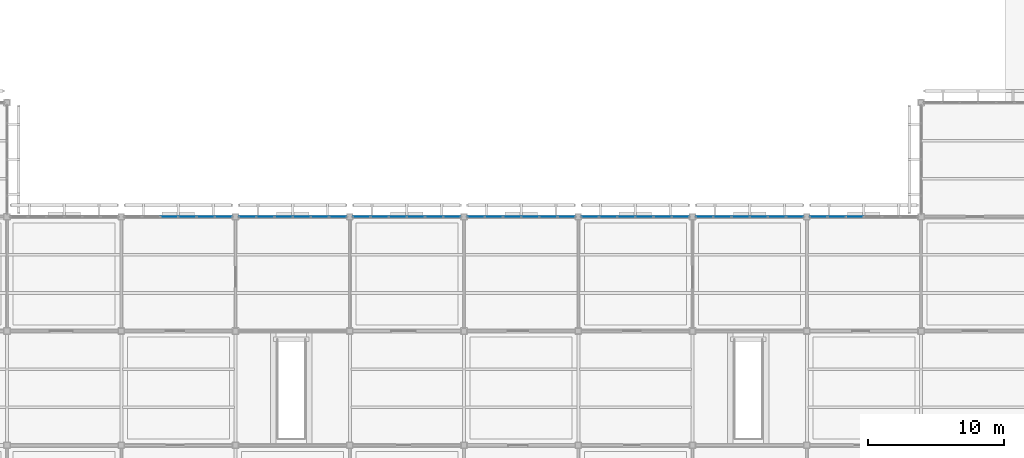
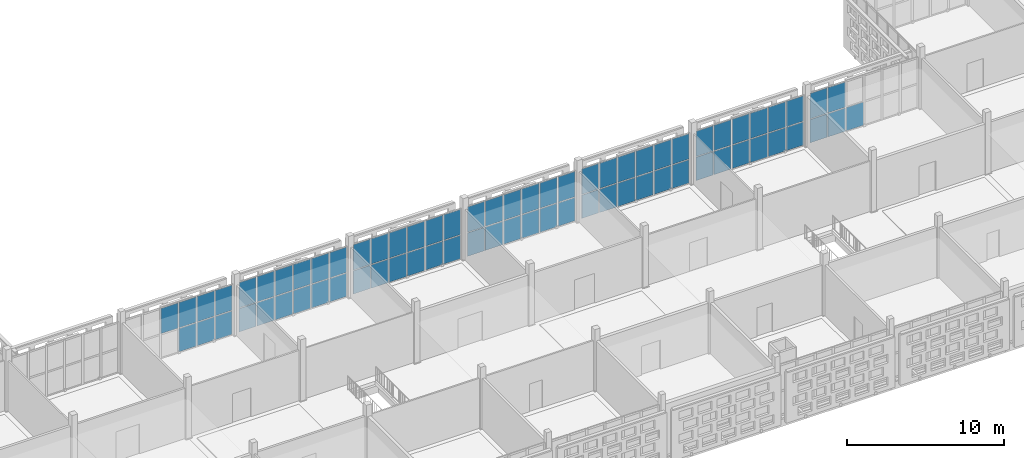
# One storey, part 92 of 203: 72 plates, 7 elements without a shape of their own.
"""IFC4 building model written with IfcOpenShell, lengths in metres."""

from ifc_helpers import new_model, si_unit, direction, frame, origin, origin_2d, place, context, subcontext, project, spatial, rectangle, extrude, material, layer, layer_set, type_object, element, aggregate, save


model = new_model("IFC4")

# Units and contexts
model_context = context("Model", 3, precision=1e-05, world=origin(), true_north=direction((0.0, 1.0)))
body_context = subcontext(model_context, "Body", "Model", "MODEL_VIEW")
ifc_project = project(units=[si_unit("LENGTHUNIT", "METRE"), si_unit("AREAUNIT", "SQUARE_METRE"), si_unit("VOLUMEUNIT", "CUBIC_METRE"), si_unit("PLANEANGLEUNIT", "RADIAN"), si_unit("MASSUNIT", "GRAM", prefix="KILO")], contexts=[model_context])

# Site, building, storey
site_placement = place(None, origin())
site = spatial("IfcSite", under=ifc_project, at=site_placement, CompositionType="ELEMENT")
building_placement = place(site_placement, origin())
building = spatial("IfcBuilding", under=site, at=building_placement, Name="Varnapada Polytechnic", CompositionType="ELEMENT")
storey_placement = place(building_placement, frame((0.0, 0.0, 4.800048828125)))
storey = spatial("IfcBuildingStorey", under=building, at=storey_placement, Name="L01", CompositionType="ELEMENT", Elevation=4.800048828125)

# Curtain wall, plates
ifc_material = material(Name="Double low-E laminated glass", Category="glass")
ifc_layer_1 = layer(ifc_material, 0.159912109375)
ifc_layer_set_1 = layer_set([ifc_layer_1], Name="Double low-E laminated glass")
curtain_wall_type = type_object("IfcCurtainWallType", Name="Curtain Wall CW-01", PredefinedType="NOTDEFINED", material=ifc_layer_set_1)
curtain_wall_1_placement = place(storey_placement, origin())
curtain_wall_1 = element("IfcCurtainWall", 1, at=curtain_wall_1_placement, inside=storey, type_object=curtain_wall_type, Name="L01 unitised curtain wall CW-01 (61)", PredefinedType="NOTDEFINED")
ifc_layer_2 = layer(ifc_material, 0.028076171875)
ifc_layer_set_2 = layer_set([ifc_layer_2], Name="Double low-E laminated glass")
plate_type = type_object("IfcPlateType", Name="Curtain Panel PNL-01", PredefinedType="CURTAIN_PANEL", material=ifc_layer_set_2)
plate_1_placement = place(storey_placement, frame((70.7275390625, 42.0, 1.9306640625), z_axis=(0.0, 0.0, 1.0), x_axis=(1.0, 0.0, 0.0)))
plate_1 = element("IfcPlate", 2, at=plate_1_placement, type_object=plate_type, Name="CW-01 panel 3.2", PredefinedType="CURTAIN_PANEL", context=body_context, shape_type="SweptSolid", body=[
    extrude(rectangle(XDim=1.27490234375, YDim=0.028076171875, at=origin_2d()), origin(), (0.0, 0.0, 1.0), 1.96923828125),
])
plate_2_placement = place(storey_placement, frame((72.0625, 42.0, 0.06005859375), z_axis=(0.0, 0.0, 1.0), x_axis=(1.0, 0.0, 0.0)))
plate_2 = element("IfcPlate", 3, at=plate_2_placement, type_object=plate_type, Name="CW-01 panel 4.1", PredefinedType="CURTAIN_PANEL", context=body_context, shape_type="SweptSolid", body=[
    extrude(rectangle(XDim=1.27490234375, YDim=0.028076171875, at=origin_2d()), origin(), (0.0, 0.0, 1.0), 1.810791015625),
])
plate_3_placement = place(storey_placement, frame((72.0625, 42.0, 1.9306640625), z_axis=(0.0, 0.0, 1.0), x_axis=(1.0, 0.0, 0.0)))
plate_3 = element("IfcPlate", 4, at=plate_3_placement, type_object=plate_type, Name="CW-01 panel 4.2", PredefinedType="CURTAIN_PANEL", context=body_context, shape_type="SweptSolid", body=[
    extrude(rectangle(XDim=1.27490234375, YDim=0.028076171875, at=origin_2d()), origin(), (0.0, 0.0, 1.0), 1.96923828125),
])
plate_4_placement = place(storey_placement, frame((73.3974609375, 42.0, 0.06005859375), z_axis=(0.0, 0.0, 1.0), x_axis=(1.0, 0.0, 0.0)))
plate_4 = element("IfcPlate", 5, at=plate_4_placement, type_object=plate_type, Name="CW-01 panel 5.1", PredefinedType="CURTAIN_PANEL", context=body_context, shape_type="SweptSolid", body=[
    extrude(rectangle(XDim=1.27490234375, YDim=0.028076171875, at=origin_2d()), origin(), (0.0, 0.0, 1.0), 1.810791015625),
])
plate_5_placement = place(storey_placement, frame((73.3974609375, 42.0, 1.9306640625), z_axis=(0.0, 0.0, 1.0), x_axis=(1.0, 0.0, 0.0)))
plate_5 = element("IfcPlate", 6, at=plate_5_placement, type_object=plate_type, Name="CW-01 panel 5.2", PredefinedType="CURTAIN_PANEL", context=body_context, shape_type="SweptSolid", body=[
    extrude(rectangle(XDim=1.27490234375, YDim=0.028076171875, at=origin_2d()), origin(), (0.0, 0.0, 1.0), 1.96923828125),
])
plate_6_placement = place(storey_placement, frame((74.717529296875, 42.0, 0.06005859375), z_axis=(0.0, 0.0, 1.0), x_axis=(1.0, 0.0, 0.0)))
plate_6 = element("IfcPlate", 7, at=plate_6_placement, type_object=plate_type, Name="CW-01 panel 6.1", PredefinedType="CURTAIN_PANEL", context=body_context, shape_type="SweptSolid", body=[
    extrude(rectangle(XDim=1.2451171875, YDim=0.028076171875, at=origin_2d()), origin(), (0.0, 0.0, 1.0), 1.810791015625),
])
plate_7_placement = place(storey_placement, frame((74.717529296875, 42.0, 1.9306640625), z_axis=(0.0, 0.0, 1.0), x_axis=(1.0, 0.0, 0.0)))
plate_7 = element("IfcPlate", 8, at=plate_7_placement, type_object=plate_type, Name="CW-01 panel 6.2", PredefinedType="CURTAIN_PANEL", context=body_context, shape_type="SweptSolid", body=[
    extrude(rectangle(XDim=1.2451171875, YDim=0.028076171875, at=origin_2d()), origin(), (0.0, 0.0, 1.0), 1.96923828125),
])
aggregate(curtain_wall_1, [plate_1, plate_2, plate_3, plate_4, plate_5, plate_6, plate_7])

curtain_wall_2_placement = place(storey_placement, origin())
curtain_wall_2 = element("IfcCurtainWall", 9, at=curtain_wall_2_placement, inside=storey, type_object=curtain_wall_type, Name="L01 unitised curtain wall CW-01 (65)", PredefinedType="NOTDEFINED")
plate_8_placement = place(storey_placement, frame((76.482421875, 42.0, 0.06005859375), z_axis=(0.0, 0.0, 1.0), x_axis=(1.0, 0.0, 0.0)))
plate_8 = element("IfcPlate", 10, at=plate_8_placement, type_object=plate_type, Name="CW-01 panel 1.1", PredefinedType="CURTAIN_PANEL", context=body_context, shape_type="SweptSolid", body=[
    extrude(rectangle(XDim=1.2451171875, YDim=0.028076171875, at=origin_2d()), origin(), (0.0, 0.0, 1.0), 1.810791015625),
])
plate_9_placement = place(storey_placement, frame((76.482421875, 42.0, 1.9306640625), z_axis=(0.0, 0.0, 1.0), x_axis=(1.0, 0.0, 0.0)))
plate_9 = element("IfcPlate", 11, at=plate_9_placement, type_object=plate_type, Name="CW-01 panel 1.2", PredefinedType="CURTAIN_PANEL", context=body_context, shape_type="SweptSolid", body=[
    extrude(rectangle(XDim=1.2451171875, YDim=0.028076171875, at=origin_2d()), origin(), (0.0, 0.0, 1.0), 1.96923828125),
])
plate_10_placement = place(storey_placement, frame((77.802490234375, 42.0, 0.06005859375), z_axis=(0.0, 0.0, 1.0), x_axis=(1.0, 0.0, 0.0)))
plate_10 = element("IfcPlate", 12, at=plate_10_placement, type_object=plate_type, Name="CW-01 panel 2.1", PredefinedType="CURTAIN_PANEL", context=body_context, shape_type="SweptSolid", body=[
    extrude(rectangle(XDim=1.27490234375, YDim=0.028076171875, at=origin_2d()), origin(), (0.0, 0.0, 1.0), 1.810791015625),
])
plate_11_placement = place(storey_placement, frame((77.802490234375, 42.0, 1.9306640625), z_axis=(0.0, 0.0, 1.0), x_axis=(1.0, 0.0, 0.0)))
plate_11 = element("IfcPlate", 13, at=plate_11_placement, type_object=plate_type, Name="CW-01 panel 2.2", PredefinedType="CURTAIN_PANEL", context=body_context, shape_type="SweptSolid", body=[
    extrude(rectangle(XDim=1.27490234375, YDim=0.028076171875, at=origin_2d()), origin(), (0.0, 0.0, 1.0), 1.96923828125),
])
plate_12_placement = place(storey_placement, frame((79.137451171875, 42.0, 0.06005859375), z_axis=(0.0, 0.0, 1.0), x_axis=(1.0, 0.0, 0.0)))
plate_12 = element("IfcPlate", 14, at=plate_12_placement, type_object=plate_type, Name="CW-01 panel 3.1", PredefinedType="CURTAIN_PANEL", context=body_context, shape_type="SweptSolid", body=[
    extrude(rectangle(XDim=1.27490234375, YDim=0.028076171875, at=origin_2d()), origin(), (0.0, 0.0, 1.0), 1.810791015625),
])
plate_13_placement = place(storey_placement, frame((79.137451171875, 42.0, 1.9306640625), z_axis=(0.0, 0.0, 1.0), x_axis=(1.0, 0.0, 0.0)))
plate_13 = element("IfcPlate", 15, at=plate_13_placement, type_object=plate_type, Name="CW-01 panel 3.2", PredefinedType="CURTAIN_PANEL", context=body_context, shape_type="SweptSolid", body=[
    extrude(rectangle(XDim=1.27490234375, YDim=0.028076171875, at=origin_2d()), origin(), (0.0, 0.0, 1.0), 1.96923828125),
])
plate_14_placement = place(storey_placement, frame((80.472412109375, 42.0, 0.06005859375), z_axis=(0.0, 0.0, 1.0), x_axis=(1.0, 0.0, 0.0)))
plate_14 = element("IfcPlate", 16, at=plate_14_placement, type_object=plate_type, Name="CW-01 panel 4.1", PredefinedType="CURTAIN_PANEL", context=body_context, shape_type="SweptSolid", body=[
    extrude(rectangle(XDim=1.27490234375, YDim=0.028076171875, at=origin_2d()), origin(), (0.0, 0.0, 1.0), 1.810791015625),
])
plate_15_placement = place(storey_placement, frame((80.472412109375, 42.0, 1.9306640625), z_axis=(0.0, 0.0, 1.0), x_axis=(1.0, 0.0, 0.0)))
plate_15 = element("IfcPlate", 17, at=plate_15_placement, type_object=plate_type, Name="CW-01 panel 4.2", PredefinedType="CURTAIN_PANEL", context=body_context, shape_type="SweptSolid", body=[
    extrude(rectangle(XDim=1.27490234375, YDim=0.028076171875, at=origin_2d()), origin(), (0.0, 0.0, 1.0), 1.96923828125),
])
plate_16_placement = place(storey_placement, frame((81.8076171875, 42.0, 0.06005859375), z_axis=(0.0, 0.0, 1.0), x_axis=(1.0, 0.0, 0.0)))
plate_16 = element("IfcPlate", 18, at=plate_16_placement, type_object=plate_type, Name="CW-01 panel 5.1", PredefinedType="CURTAIN_PANEL", context=body_context, shape_type="SweptSolid", body=[
    extrude(rectangle(XDim=1.27490234375, YDim=0.028076171875, at=origin_2d()), origin(), (0.0, 0.0, 1.0), 1.810791015625),
])
plate_17_placement = place(storey_placement, frame((81.8076171875, 42.0, 1.9306640625), z_axis=(0.0, 0.0, 1.0), x_axis=(1.0, 0.0, 0.0)))
plate_17 = element("IfcPlate", 19, at=plate_17_placement, type_object=plate_type, Name="CW-01 panel 5.2", PredefinedType="CURTAIN_PANEL", context=body_context, shape_type="SweptSolid", body=[
    extrude(rectangle(XDim=1.27490234375, YDim=0.028076171875, at=origin_2d()), origin(), (0.0, 0.0, 1.0), 1.96923828125),
])
plate_18_placement = place(storey_placement, frame((83.12744140625, 42.0, 0.06005859375), z_axis=(0.0, 0.0, 1.0), x_axis=(1.0, 0.0, 0.0)))
plate_18 = element("IfcPlate", 20, at=plate_18_placement, type_object=plate_type, Name="CW-01 panel 6.1", PredefinedType="CURTAIN_PANEL", context=body_context, shape_type="SweptSolid", body=[
    extrude(rectangle(XDim=1.2451171875, YDim=0.028076171875, at=origin_2d()), origin(), (0.0, 0.0, 1.0), 1.810791015625),
])
plate_19_placement = place(storey_placement, frame((83.12744140625, 42.0, 1.9306640625), z_axis=(0.0, 0.0, 1.0), x_axis=(1.0, 0.0, 0.0)))
plate_19 = element("IfcPlate", 21, at=plate_19_placement, type_object=plate_type, Name="CW-01 panel 6.2", PredefinedType="CURTAIN_PANEL", context=body_context, shape_type="SweptSolid", body=[
    extrude(rectangle(XDim=1.2451171875, YDim=0.028076171875, at=origin_2d()), origin(), (0.0, 0.0, 1.0), 1.96923828125),
])
aggregate(curtain_wall_2, [plate_8, plate_9, plate_10, plate_11, plate_12, plate_13, plate_14, plate_15, plate_16, plate_17, plate_18, plate_19])

curtain_wall_3_placement = place(storey_placement, origin())
curtain_wall_3 = element("IfcCurtainWall", 22, at=curtain_wall_3_placement, inside=storey, type_object=curtain_wall_type, Name="L01 unitised curtain wall CW-01 (70)", PredefinedType="NOTDEFINED")
plate_20_placement = place(storey_placement, frame((84.87255859375, 42.0, 0.06005859375), z_axis=(0.0, 0.0, 1.0), x_axis=(1.0, 0.0, 0.0)))
plate_20 = element("IfcPlate", 23, at=plate_20_placement, type_object=plate_type, Name="CW-01 panel 1.1", PredefinedType="CURTAIN_PANEL", context=body_context, shape_type="SweptSolid", body=[
    extrude(rectangle(XDim=1.2451171875, YDim=0.028076171875, at=origin_2d()), origin(), (0.0, 0.0, 1.0), 1.810791015625),
])
plate_21_placement = place(storey_placement, frame((84.87255859375, 42.0, 1.9306640625), z_axis=(0.0, 0.0, 1.0), x_axis=(1.0, 0.0, 0.0)))
plate_21 = element("IfcPlate", 24, at=plate_21_placement, type_object=plate_type, Name="CW-01 panel 1.2", PredefinedType="CURTAIN_PANEL", context=body_context, shape_type="SweptSolid", body=[
    extrude(rectangle(XDim=1.2451171875, YDim=0.028076171875, at=origin_2d()), origin(), (0.0, 0.0, 1.0), 1.96923828125),
])
plate_22_placement = place(storey_placement, frame((86.1923828125, 42.0, 0.06005859375), z_axis=(0.0, 0.0, 1.0), x_axis=(1.0, 0.0, 0.0)))
plate_22 = element("IfcPlate", 25, at=plate_22_placement, type_object=plate_type, Name="CW-01 panel 2.1", PredefinedType="CURTAIN_PANEL", context=body_context, shape_type="SweptSolid", body=[
    extrude(rectangle(XDim=1.27490234375, YDim=0.028076171875, at=origin_2d()), origin(), (0.0, 0.0, 1.0), 1.810791015625),
])
plate_23_placement = place(storey_placement, frame((86.1923828125, 42.0, 1.9306640625), z_axis=(0.0, 0.0, 1.0), x_axis=(1.0, 0.0, 0.0)))
plate_23 = element("IfcPlate", 26, at=plate_23_placement, type_object=plate_type, Name="CW-01 panel 2.2", PredefinedType="CURTAIN_PANEL", context=body_context, shape_type="SweptSolid", body=[
    extrude(rectangle(XDim=1.27490234375, YDim=0.028076171875, at=origin_2d()), origin(), (0.0, 0.0, 1.0), 1.96923828125),
])
plate_24_placement = place(storey_placement, frame((87.527587890625, 42.0, 0.06005859375), z_axis=(0.0, 0.0, 1.0), x_axis=(1.0, 0.0, 0.0)))
plate_24 = element("IfcPlate", 27, at=plate_24_placement, type_object=plate_type, Name="CW-01 panel 3.1", PredefinedType="CURTAIN_PANEL", context=body_context, shape_type="SweptSolid", body=[
    extrude(rectangle(XDim=1.27490234375, YDim=0.028076171875, at=origin_2d()), origin(), (0.0, 0.0, 1.0), 1.810791015625),
])
plate_25_placement = place(storey_placement, frame((87.527587890625, 42.0, 1.9306640625), z_axis=(0.0, 0.0, 1.0), x_axis=(1.0, 0.0, 0.0)))
plate_25 = element("IfcPlate", 28, at=plate_25_placement, type_object=plate_type, Name="CW-01 panel 3.2", PredefinedType="CURTAIN_PANEL", context=body_context, shape_type="SweptSolid", body=[
    extrude(rectangle(XDim=1.27490234375, YDim=0.028076171875, at=origin_2d()), origin(), (0.0, 0.0, 1.0), 1.96923828125),
])
plate_26_placement = place(storey_placement, frame((88.862548828125, 42.0, 0.06005859375), z_axis=(0.0, 0.0, 1.0), x_axis=(1.0, 0.0, 0.0)))
plate_26 = element("IfcPlate", 29, at=plate_26_placement, type_object=plate_type, Name="CW-01 panel 4.1", PredefinedType="CURTAIN_PANEL", context=body_context, shape_type="SweptSolid", body=[
    extrude(rectangle(XDim=1.27490234375, YDim=0.028076171875, at=origin_2d()), origin(), (0.0, 0.0, 1.0), 1.810791015625),
])
plate_27_placement = place(storey_placement, frame((88.862548828125, 42.0, 1.9306640625), z_axis=(0.0, 0.0, 1.0), x_axis=(1.0, 0.0, 0.0)))
plate_27 = element("IfcPlate", 30, at=plate_27_placement, type_object=plate_type, Name="CW-01 panel 4.2", PredefinedType="CURTAIN_PANEL", context=body_context, shape_type="SweptSolid", body=[
    extrude(rectangle(XDim=1.27490234375, YDim=0.028076171875, at=origin_2d()), origin(), (0.0, 0.0, 1.0), 1.96923828125),
])
plate_28_placement = place(storey_placement, frame((90.197509765625, 42.0, 0.06005859375), z_axis=(0.0, 0.0, 1.0), x_axis=(1.0, 0.0, 0.0)))
plate_28 = element("IfcPlate", 31, at=plate_28_placement, type_object=plate_type, Name="CW-01 panel 5.1", PredefinedType="CURTAIN_PANEL", context=body_context, shape_type="SweptSolid", body=[
    extrude(rectangle(XDim=1.27490234375, YDim=0.028076171875, at=origin_2d()), origin(), (0.0, 0.0, 1.0), 1.810791015625),
])
plate_29_placement = place(storey_placement, frame((90.197509765625, 42.0, 1.9306640625), z_axis=(0.0, 0.0, 1.0), x_axis=(1.0, 0.0, 0.0)))
plate_29 = element("IfcPlate", 32, at=plate_29_placement, type_object=plate_type, Name="CW-01 panel 5.2", PredefinedType="CURTAIN_PANEL", context=body_context, shape_type="SweptSolid", body=[
    extrude(rectangle(XDim=1.27490234375, YDim=0.028076171875, at=origin_2d()), origin(), (0.0, 0.0, 1.0), 1.96923828125),
])
plate_30_placement = place(storey_placement, frame((91.517578125, 42.0, 0.06005859375), z_axis=(0.0, 0.0, 1.0), x_axis=(1.0, 0.0, 0.0)))
plate_30 = element("IfcPlate", 33, at=plate_30_placement, type_object=plate_type, Name="CW-01 panel 6.1", PredefinedType="CURTAIN_PANEL", context=body_context, shape_type="SweptSolid", body=[
    extrude(rectangle(XDim=1.2451171875, YDim=0.028076171875, at=origin_2d()), origin(), (0.0, 0.0, 1.0), 1.810791015625),
])
plate_31_placement = place(storey_placement, frame((91.517578125, 42.0, 1.9306640625), z_axis=(0.0, 0.0, 1.0), x_axis=(1.0, 0.0, 0.0)))
plate_31 = element("IfcPlate", 34, at=plate_31_placement, type_object=plate_type, Name="CW-01 panel 6.2", PredefinedType="CURTAIN_PANEL", context=body_context, shape_type="SweptSolid", body=[
    extrude(rectangle(XDim=1.2451171875, YDim=0.028076171875, at=origin_2d()), origin(), (0.0, 0.0, 1.0), 1.96923828125),
])
aggregate(curtain_wall_3, [plate_20, plate_21, plate_22, plate_23, plate_24, plate_25, plate_26, plate_27, plate_28, plate_29, plate_30, plate_31])

curtain_wall_4_placement = place(storey_placement, origin())
curtain_wall_4 = element("IfcCurtainWall", 35, at=curtain_wall_4_placement, inside=storey, type_object=curtain_wall_type, Name="L01 unitised curtain wall CW-01 (75)", PredefinedType="NOTDEFINED")
plate_32_placement = place(storey_placement, frame((93.282470703125, 42.0, 0.06005859375), z_axis=(0.0, 0.0, 1.0), x_axis=(1.0, 0.0, 0.0)))
plate_32 = element("IfcPlate", 36, at=plate_32_placement, type_object=plate_type, Name="CW-01 panel 1.1", PredefinedType="CURTAIN_PANEL", context=body_context, shape_type="SweptSolid", body=[
    extrude(rectangle(XDim=1.2451171875, YDim=0.028076171875, at=origin_2d()), origin(), (0.0, 0.0, 1.0), 1.810791015625),
])
plate_33_placement = place(storey_placement, frame((93.282470703125, 42.0, 1.9306640625), z_axis=(0.0, 0.0, 1.0), x_axis=(1.0, 0.0, 0.0)))
plate_33 = element("IfcPlate", 37, at=plate_33_placement, type_object=plate_type, Name="CW-01 panel 1.2", PredefinedType="CURTAIN_PANEL", context=body_context, shape_type="SweptSolid", body=[
    extrude(rectangle(XDim=1.2451171875, YDim=0.028076171875, at=origin_2d()), origin(), (0.0, 0.0, 1.0), 1.96923828125),
])
plate_34_placement = place(storey_placement, frame((94.6025390625, 42.0, 0.06005859375), z_axis=(0.0, 0.0, 1.0), x_axis=(1.0, 0.0, 0.0)))
plate_34 = element("IfcPlate", 38, at=plate_34_placement, type_object=plate_type, Name="CW-01 panel 2.1", PredefinedType="CURTAIN_PANEL", context=body_context, shape_type="SweptSolid", body=[
    extrude(rectangle(XDim=1.27490234375, YDim=0.028076171875, at=origin_2d()), origin(), (0.0, 0.0, 1.0), 1.810791015625),
])
plate_35_placement = place(storey_placement, frame((94.6025390625, 42.0, 1.9306640625), z_axis=(0.0, 0.0, 1.0), x_axis=(1.0, 0.0, 0.0)))
plate_35 = element("IfcPlate", 39, at=plate_35_placement, type_object=plate_type, Name="CW-01 panel 2.2", PredefinedType="CURTAIN_PANEL", context=body_context, shape_type="SweptSolid", body=[
    extrude(rectangle(XDim=1.27490234375, YDim=0.028076171875, at=origin_2d()), origin(), (0.0, 0.0, 1.0), 1.96923828125),
])
plate_36_placement = place(storey_placement, frame((95.9375, 42.0, 0.06005859375), z_axis=(0.0, 0.0, 1.0), x_axis=(1.0, 0.0, 0.0)))
plate_36 = element("IfcPlate", 40, at=plate_36_placement, type_object=plate_type, Name="CW-01 panel 3.1", PredefinedType="CURTAIN_PANEL", context=body_context, shape_type="SweptSolid", body=[
    extrude(rectangle(XDim=1.27490234375, YDim=0.028076171875, at=origin_2d()), origin(), (0.0, 0.0, 1.0), 1.810791015625),
])
plate_37_placement = place(storey_placement, frame((95.9375, 42.0, 1.9306640625), z_axis=(0.0, 0.0, 1.0), x_axis=(1.0, 0.0, 0.0)))
plate_37 = element("IfcPlate", 41, at=plate_37_placement, type_object=plate_type, Name="CW-01 panel 3.2", PredefinedType="CURTAIN_PANEL", context=body_context, shape_type="SweptSolid", body=[
    extrude(rectangle(XDim=1.27490234375, YDim=0.028076171875, at=origin_2d()), origin(), (0.0, 0.0, 1.0), 1.96923828125),
])
plate_38_placement = place(storey_placement, frame((97.2724609375, 42.0, 0.06005859375), z_axis=(0.0, 0.0, 1.0), x_axis=(1.0, 0.0, 0.0)))
plate_38 = element("IfcPlate", 42, at=plate_38_placement, type_object=plate_type, Name="CW-01 panel 4.1", PredefinedType="CURTAIN_PANEL", context=body_context, shape_type="SweptSolid", body=[
    extrude(rectangle(XDim=1.27490234375, YDim=0.028076171875, at=origin_2d()), origin(), (0.0, 0.0, 1.0), 1.810791015625),
])
plate_39_placement = place(storey_placement, frame((97.2724609375, 42.0, 1.9306640625), z_axis=(0.0, 0.0, 1.0), x_axis=(1.0, 0.0, 0.0)))
plate_39 = element("IfcPlate", 43, at=plate_39_placement, type_object=plate_type, Name="CW-01 panel 4.2", PredefinedType="CURTAIN_PANEL", context=body_context, shape_type="SweptSolid", body=[
    extrude(rectangle(XDim=1.27490234375, YDim=0.028076171875, at=origin_2d()), origin(), (0.0, 0.0, 1.0), 1.96923828125),
])
plate_40_placement = place(storey_placement, frame((98.607421875, 42.0, 0.06005859375), z_axis=(0.0, 0.0, 1.0), x_axis=(1.0, 0.0, 0.0)))
plate_40 = element("IfcPlate", 44, at=plate_40_placement, type_object=plate_type, Name="CW-01 panel 5.1", PredefinedType="CURTAIN_PANEL", context=body_context, shape_type="SweptSolid", body=[
    extrude(rectangle(XDim=1.27490234375, YDim=0.028076171875, at=origin_2d()), origin(), (0.0, 0.0, 1.0), 1.810791015625),
])
plate_41_placement = place(storey_placement, frame((98.607421875, 42.0, 1.9306640625), z_axis=(0.0, 0.0, 1.0), x_axis=(1.0, 0.0, 0.0)))
plate_41 = element("IfcPlate", 45, at=plate_41_placement, type_object=plate_type, Name="CW-01 panel 5.2", PredefinedType="CURTAIN_PANEL", context=body_context, shape_type="SweptSolid", body=[
    extrude(rectangle(XDim=1.27490234375, YDim=0.028076171875, at=origin_2d()), origin(), (0.0, 0.0, 1.0), 1.96923828125),
])
plate_42_placement = place(storey_placement, frame((99.927490234375, 42.0, 0.06005859375), z_axis=(0.0, 0.0, 1.0), x_axis=(1.0, 0.0, 0.0)))
plate_42 = element("IfcPlate", 46, at=plate_42_placement, type_object=plate_type, Name="CW-01 panel 6.1", PredefinedType="CURTAIN_PANEL", context=body_context, shape_type="SweptSolid", body=[
    extrude(rectangle(XDim=1.2451171875, YDim=0.028076171875, at=origin_2d()), origin(), (0.0, 0.0, 1.0), 1.810791015625),
])
plate_43_placement = place(storey_placement, frame((99.927490234375, 42.0, 1.9306640625), z_axis=(0.0, 0.0, 1.0), x_axis=(1.0, 0.0, 0.0)))
plate_43 = element("IfcPlate", 47, at=plate_43_placement, type_object=plate_type, Name="CW-01 panel 6.2", PredefinedType="CURTAIN_PANEL", context=body_context, shape_type="SweptSolid", body=[
    extrude(rectangle(XDim=1.2451171875, YDim=0.028076171875, at=origin_2d()), origin(), (0.0, 0.0, 1.0), 1.96923828125),
])
aggregate(curtain_wall_4, [plate_32, plate_33, plate_34, plate_35, plate_36, plate_37, plate_38, plate_39, plate_40, plate_41, plate_42, plate_43])

curtain_wall_5_placement = place(storey_placement, origin())
curtain_wall_5 = element("IfcCurtainWall", 48, at=curtain_wall_5_placement, inside=storey, type_object=curtain_wall_type, Name="L01 unitised curtain wall CW-01 (79)", PredefinedType="NOTDEFINED")
plate_44_placement = place(storey_placement, frame((101.672607421875, 42.0, 0.06005859375), z_axis=(0.0, 0.0, 1.0), x_axis=(1.0, 0.0, 0.0)))
plate_44 = element("IfcPlate", 49, at=plate_44_placement, type_object=plate_type, Name="CW-01 panel 1.1", PredefinedType="CURTAIN_PANEL", context=body_context, shape_type="SweptSolid", body=[
    extrude(rectangle(XDim=1.2451171875, YDim=0.028076171875, at=origin_2d()), origin(), (0.0, 0.0, 1.0), 1.810791015625),
])
plate_45_placement = place(storey_placement, frame((101.672607421875, 42.0, 1.9306640625), z_axis=(0.0, 0.0, 1.0), x_axis=(1.0, 0.0, 0.0)))
plate_45 = element("IfcPlate", 50, at=plate_45_placement, type_object=plate_type, Name="CW-01 panel 1.2", PredefinedType="CURTAIN_PANEL", context=body_context, shape_type="SweptSolid", body=[
    extrude(rectangle(XDim=1.2451171875, YDim=0.028076171875, at=origin_2d()), origin(), (0.0, 0.0, 1.0), 1.96923828125),
])
plate_46_placement = place(storey_placement, frame((102.992431640625, 42.0, 0.06005859375), z_axis=(0.0, 0.0, 1.0), x_axis=(1.0, 0.0, 0.0)))
plate_46 = element("IfcPlate", 51, at=plate_46_placement, type_object=plate_type, Name="CW-01 panel 2.1", PredefinedType="CURTAIN_PANEL", context=body_context, shape_type="SweptSolid", body=[
    extrude(rectangle(XDim=1.27490234375, YDim=0.028076171875, at=origin_2d()), origin(), (0.0, 0.0, 1.0), 1.810791015625),
])
plate_47_placement = place(storey_placement, frame((102.992431640625, 42.0, 1.9306640625), z_axis=(0.0, 0.0, 1.0), x_axis=(1.0, 0.0, 0.0)))
plate_47 = element("IfcPlate", 52, at=plate_47_placement, type_object=plate_type, Name="CW-01 panel 2.2", PredefinedType="CURTAIN_PANEL", context=body_context, shape_type="SweptSolid", body=[
    extrude(rectangle(XDim=1.27490234375, YDim=0.028076171875, at=origin_2d()), origin(), (0.0, 0.0, 1.0), 1.96923828125),
])
plate_48_placement = place(storey_placement, frame((104.327392578125, 42.0, 0.06005859375), z_axis=(0.0, 0.0, 1.0), x_axis=(1.0, 0.0, 0.0)))
plate_48 = element("IfcPlate", 53, at=plate_48_placement, type_object=plate_type, Name="CW-01 panel 3.1", PredefinedType="CURTAIN_PANEL", context=body_context, shape_type="SweptSolid", body=[
    extrude(rectangle(XDim=1.27490234375, YDim=0.028076171875, at=origin_2d()), origin(), (0.0, 0.0, 1.0), 1.810791015625),
])
plate_49_placement = place(storey_placement, frame((104.327392578125, 42.0, 1.9306640625), z_axis=(0.0, 0.0, 1.0), x_axis=(1.0, 0.0, 0.0)))
plate_49 = element("IfcPlate", 54, at=plate_49_placement, type_object=plate_type, Name="CW-01 panel 3.2", PredefinedType="CURTAIN_PANEL", context=body_context, shape_type="SweptSolid", body=[
    extrude(rectangle(XDim=1.27490234375, YDim=0.028076171875, at=origin_2d()), origin(), (0.0, 0.0, 1.0), 1.96923828125),
])
plate_50_placement = place(storey_placement, frame((105.66259765625, 42.0, 0.06005859375), z_axis=(0.0, 0.0, 1.0), x_axis=(1.0, 0.0, 0.0)))
plate_50 = element("IfcPlate", 55, at=plate_50_placement, type_object=plate_type, Name="CW-01 panel 4.1", PredefinedType="CURTAIN_PANEL", context=body_context, shape_type="SweptSolid", body=[
    extrude(rectangle(XDim=1.27490234375, YDim=0.028076171875, at=origin_2d()), origin(), (0.0, 0.0, 1.0), 1.810791015625),
])
plate_51_placement = place(storey_placement, frame((105.66259765625, 42.0, 1.9306640625), z_axis=(0.0, 0.0, 1.0), x_axis=(1.0, 0.0, 0.0)))
plate_51 = element("IfcPlate", 56, at=plate_51_placement, type_object=plate_type, Name="CW-01 panel 4.2", PredefinedType="CURTAIN_PANEL", context=body_context, shape_type="SweptSolid", body=[
    extrude(rectangle(XDim=1.27490234375, YDim=0.028076171875, at=origin_2d()), origin(), (0.0, 0.0, 1.0), 1.96923828125),
])
plate_52_placement = place(storey_placement, frame((106.99755859375, 42.0, 0.06005859375), z_axis=(0.0, 0.0, 1.0), x_axis=(1.0, 0.0, 0.0)))
plate_52 = element("IfcPlate", 57, at=plate_52_placement, type_object=plate_type, Name="CW-01 panel 5.1", PredefinedType="CURTAIN_PANEL", context=body_context, shape_type="SweptSolid", body=[
    extrude(rectangle(XDim=1.27490234375, YDim=0.028076171875, at=origin_2d()), origin(), (0.0, 0.0, 1.0), 1.810791015625),
])
plate_53_placement = place(storey_placement, frame((106.99755859375, 42.0, 1.9306640625), z_axis=(0.0, 0.0, 1.0), x_axis=(1.0, 0.0, 0.0)))
plate_53 = element("IfcPlate", 58, at=plate_53_placement, type_object=plate_type, Name="CW-01 panel 5.2", PredefinedType="CURTAIN_PANEL", context=body_context, shape_type="SweptSolid", body=[
    extrude(rectangle(XDim=1.27490234375, YDim=0.028076171875, at=origin_2d()), origin(), (0.0, 0.0, 1.0), 1.96923828125),
])
plate_54_placement = place(storey_placement, frame((108.3173828125, 42.0, 0.06005859375), z_axis=(0.0, 0.0, 1.0), x_axis=(1.0, 0.0, 0.0)))
plate_54 = element("IfcPlate", 59, at=plate_54_placement, type_object=plate_type, Name="CW-01 panel 6.1", PredefinedType="CURTAIN_PANEL", context=body_context, shape_type="SweptSolid", body=[
    extrude(rectangle(XDim=1.2451171875, YDim=0.028076171875, at=origin_2d()), origin(), (0.0, 0.0, 1.0), 1.810791015625),
])
plate_55_placement = place(storey_placement, frame((108.3173828125, 42.0, 1.9306640625), z_axis=(0.0, 0.0, 1.0), x_axis=(1.0, 0.0, 0.0)))
plate_55 = element("IfcPlate", 60, at=plate_55_placement, type_object=plate_type, Name="CW-01 panel 6.2", PredefinedType="CURTAIN_PANEL", context=body_context, shape_type="SweptSolid", body=[
    extrude(rectangle(XDim=1.2451171875, YDim=0.028076171875, at=origin_2d()), origin(), (0.0, 0.0, 1.0), 1.96923828125),
])
aggregate(curtain_wall_5, [plate_44, plate_45, plate_46, plate_47, plate_48, plate_49, plate_50, plate_51, plate_52, plate_53, plate_54, plate_55])

curtain_wall_6_placement = place(storey_placement, origin())
curtain_wall_6 = element("IfcCurtainWall", 61, at=curtain_wall_6_placement, inside=storey, type_object=curtain_wall_type, Name="L01 unitised curtain wall CW-01 (84)", PredefinedType="NOTDEFINED")
plate_56_placement = place(storey_placement, frame((110.08251953125, 42.0, 0.06005859375), z_axis=(0.0, 0.0, 1.0), x_axis=(1.0, 0.0, 0.0)))
plate_56 = element("IfcPlate", 62, at=plate_56_placement, type_object=plate_type, Name="CW-01 panel 1.1", PredefinedType="CURTAIN_PANEL", context=body_context, shape_type="SweptSolid", body=[
    extrude(rectangle(XDim=1.2451171875, YDim=0.028076171875, at=origin_2d()), origin(), (0.0, 0.0, 1.0), 1.810791015625),
])
plate_57_placement = place(storey_placement, frame((110.08251953125, 42.0, 1.9306640625), z_axis=(0.0, 0.0, 1.0), x_axis=(1.0, 0.0, 0.0)))
plate_57 = element("IfcPlate", 63, at=plate_57_placement, type_object=plate_type, Name="CW-01 panel 1.2", PredefinedType="CURTAIN_PANEL", context=body_context, shape_type="SweptSolid", body=[
    extrude(rectangle(XDim=1.2451171875, YDim=0.028076171875, at=origin_2d()), origin(), (0.0, 0.0, 1.0), 1.96923828125),
])
plate_58_placement = place(storey_placement, frame((111.402587890625, 42.0, 0.06005859375), z_axis=(0.0, 0.0, 1.0), x_axis=(1.0, 0.0, 0.0)))
plate_58 = element("IfcPlate", 64, at=plate_58_placement, type_object=plate_type, Name="CW-01 panel 2.1", PredefinedType="CURTAIN_PANEL", context=body_context, shape_type="SweptSolid", body=[
    extrude(rectangle(XDim=1.27490234375, YDim=0.028076171875, at=origin_2d()), origin(), (0.0, 0.0, 1.0), 1.810791015625),
])
plate_59_placement = place(storey_placement, frame((111.402587890625, 42.0, 1.9306640625), z_axis=(0.0, 0.0, 1.0), x_axis=(1.0, 0.0, 0.0)))
plate_59 = element("IfcPlate", 65, at=plate_59_placement, type_object=plate_type, Name="CW-01 panel 2.2", PredefinedType="CURTAIN_PANEL", context=body_context, shape_type="SweptSolid", body=[
    extrude(rectangle(XDim=1.27490234375, YDim=0.028076171875, at=origin_2d()), origin(), (0.0, 0.0, 1.0), 1.96923828125),
])
plate_60_placement = place(storey_placement, frame((112.737548828125, 42.0, 0.06005859375), z_axis=(0.0, 0.0, 1.0), x_axis=(1.0, 0.0, 0.0)))
plate_60 = element("IfcPlate", 66, at=plate_60_placement, type_object=plate_type, Name="CW-01 panel 3.1", PredefinedType="CURTAIN_PANEL", context=body_context, shape_type="SweptSolid", body=[
    extrude(rectangle(XDim=1.27490234375, YDim=0.028076171875, at=origin_2d()), origin(), (0.0, 0.0, 1.0), 1.810791015625),
])
plate_61_placement = place(storey_placement, frame((112.737548828125, 42.0, 1.9306640625), z_axis=(0.0, 0.0, 1.0), x_axis=(1.0, 0.0, 0.0)))
plate_61 = element("IfcPlate", 67, at=plate_61_placement, type_object=plate_type, Name="CW-01 panel 3.2", PredefinedType="CURTAIN_PANEL", context=body_context, shape_type="SweptSolid", body=[
    extrude(rectangle(XDim=1.27490234375, YDim=0.028076171875, at=origin_2d()), origin(), (0.0, 0.0, 1.0), 1.96923828125),
])
plate_62_placement = place(storey_placement, frame((114.072509765625, 42.0, 0.06005859375), z_axis=(0.0, 0.0, 1.0), x_axis=(1.0, 0.0, 0.0)))
plate_62 = element("IfcPlate", 68, at=plate_62_placement, type_object=plate_type, Name="CW-01 panel 4.1", PredefinedType="CURTAIN_PANEL", context=body_context, shape_type="SweptSolid", body=[
    extrude(rectangle(XDim=1.27490234375, YDim=0.028076171875, at=origin_2d()), origin(), (0.0, 0.0, 1.0), 1.810791015625),
])
plate_63_placement = place(storey_placement, frame((114.072509765625, 42.0, 1.9306640625), z_axis=(0.0, 0.0, 1.0), x_axis=(1.0, 0.0, 0.0)))
plate_63 = element("IfcPlate", 69, at=plate_63_placement, type_object=plate_type, Name="CW-01 panel 4.2", PredefinedType="CURTAIN_PANEL", context=body_context, shape_type="SweptSolid", body=[
    extrude(rectangle(XDim=1.27490234375, YDim=0.028076171875, at=origin_2d()), origin(), (0.0, 0.0, 1.0), 1.96923828125),
])
plate_64_placement = place(storey_placement, frame((115.407470703125, 42.0, 0.06005859375), z_axis=(0.0, 0.0, 1.0), x_axis=(1.0, 0.0, 0.0)))
plate_64 = element("IfcPlate", 70, at=plate_64_placement, type_object=plate_type, Name="CW-01 panel 5.1", PredefinedType="CURTAIN_PANEL", context=body_context, shape_type="SweptSolid", body=[
    extrude(rectangle(XDim=1.27490234375, YDim=0.028076171875, at=origin_2d()), origin(), (0.0, 0.0, 1.0), 1.810791015625),
])
plate_65_placement = place(storey_placement, frame((115.407470703125, 42.0, 1.9306640625), z_axis=(0.0, 0.0, 1.0), x_axis=(1.0, 0.0, 0.0)))
plate_65 = element("IfcPlate", 71, at=plate_65_placement, type_object=plate_type, Name="CW-01 panel 5.2", PredefinedType="CURTAIN_PANEL", context=body_context, shape_type="SweptSolid", body=[
    extrude(rectangle(XDim=1.27490234375, YDim=0.028076171875, at=origin_2d()), origin(), (0.0, 0.0, 1.0), 1.96923828125),
])
plate_66_placement = place(storey_placement, frame((116.7275390625, 42.0, 0.06005859375), z_axis=(0.0, 0.0, 1.0), x_axis=(1.0, 0.0, 0.0)))
plate_66 = element("IfcPlate", 72, at=plate_66_placement, type_object=plate_type, Name="CW-01 panel 6.1", PredefinedType="CURTAIN_PANEL", context=body_context, shape_type="SweptSolid", body=[
    extrude(rectangle(XDim=1.2451171875, YDim=0.028076171875, at=origin_2d()), origin(), (0.0, 0.0, 1.0), 1.810791015625),
])
plate_67_placement = place(storey_placement, frame((116.7275390625, 42.0, 1.9306640625), z_axis=(0.0, 0.0, 1.0), x_axis=(1.0, 0.0, 0.0)))
plate_67 = element("IfcPlate", 73, at=plate_67_placement, type_object=plate_type, Name="CW-01 panel 6.2", PredefinedType="CURTAIN_PANEL", context=body_context, shape_type="SweptSolid", body=[
    extrude(rectangle(XDim=1.2451171875, YDim=0.028076171875, at=origin_2d()), origin(), (0.0, 0.0, 1.0), 1.96923828125),
])
aggregate(curtain_wall_6, [plate_56, plate_57, plate_58, plate_59, plate_60, plate_61, plate_62, plate_63, plate_64, plate_65, plate_66, plate_67])

curtain_wall_7_placement = place(storey_placement, origin())
curtain_wall_7 = element("IfcCurtainWall", 74, at=curtain_wall_7_placement, inside=storey, type_object=curtain_wall_type, Name="L01 unitised curtain wall CW-01 (89)", PredefinedType="NOTDEFINED")
plate_68_placement = place(storey_placement, frame((118.472412109375, 42.0, 0.06005859375), z_axis=(0.0, 0.0, 1.0), x_axis=(1.0, 0.0, 0.0)))
plate_68 = element("IfcPlate", 75, at=plate_68_placement, type_object=plate_type, Name="CW-01 panel 1.1", PredefinedType="CURTAIN_PANEL", context=body_context, shape_type="SweptSolid", body=[
    extrude(rectangle(XDim=1.2451171875, YDim=0.028076171875, at=origin_2d()), origin(), (0.0, 0.0, 1.0), 1.810791015625),
])
plate_69_placement = place(storey_placement, frame((118.472412109375, 42.0, 1.9306640625), z_axis=(0.0, 0.0, 1.0), x_axis=(1.0, 0.0, 0.0)))
plate_69 = element("IfcPlate", 76, at=plate_69_placement, type_object=plate_type, Name="CW-01 panel 1.2", PredefinedType="CURTAIN_PANEL", context=body_context, shape_type="SweptSolid", body=[
    extrude(rectangle(XDim=1.2451171875, YDim=0.028076171875, at=origin_2d()), origin(), (0.0, 0.0, 1.0), 1.96923828125),
])
plate_70_placement = place(storey_placement, frame((119.79248046875, 42.0, 0.06005859375), z_axis=(0.0, 0.0, 1.0), x_axis=(1.0, 0.0, 0.0)))
plate_70 = element("IfcPlate", 77, at=plate_70_placement, type_object=plate_type, Name="CW-01 panel 2.1", PredefinedType="CURTAIN_PANEL", context=body_context, shape_type="SweptSolid", body=[
    extrude(rectangle(XDim=1.27490234375, YDim=0.028076171875, at=origin_2d()), origin(), (0.0, 0.0, 1.0), 1.810791015625),
])
plate_71_placement = place(storey_placement, frame((119.79248046875, 42.0, 1.9306640625), z_axis=(0.0, 0.0, 1.0), x_axis=(1.0, 0.0, 0.0)))
plate_71 = element("IfcPlate", 78, at=plate_71_placement, type_object=plate_type, Name="CW-01 panel 2.2", PredefinedType="CURTAIN_PANEL", context=body_context, shape_type="SweptSolid", body=[
    extrude(rectangle(XDim=1.27490234375, YDim=0.028076171875, at=origin_2d()), origin(), (0.0, 0.0, 1.0), 1.96923828125),
])
plate_72_placement = place(storey_placement, frame((121.12744140625, 42.0, 0.06005859375), z_axis=(0.0, 0.0, 1.0), x_axis=(1.0, 0.0, 0.0)))
plate_72 = element("IfcPlate", 79, at=plate_72_placement, type_object=plate_type, Name="CW-01 panel 3.1", PredefinedType="CURTAIN_PANEL", context=body_context, shape_type="SweptSolid", body=[
    extrude(rectangle(XDim=1.27490234375, YDim=0.028076171875, at=origin_2d()), origin(), (0.0, 0.0, 1.0), 1.810791015625),
])
aggregate(curtain_wall_7, [plate_68, plate_69, plate_70, plate_71, plate_72])

save(model, "model.ifc")
